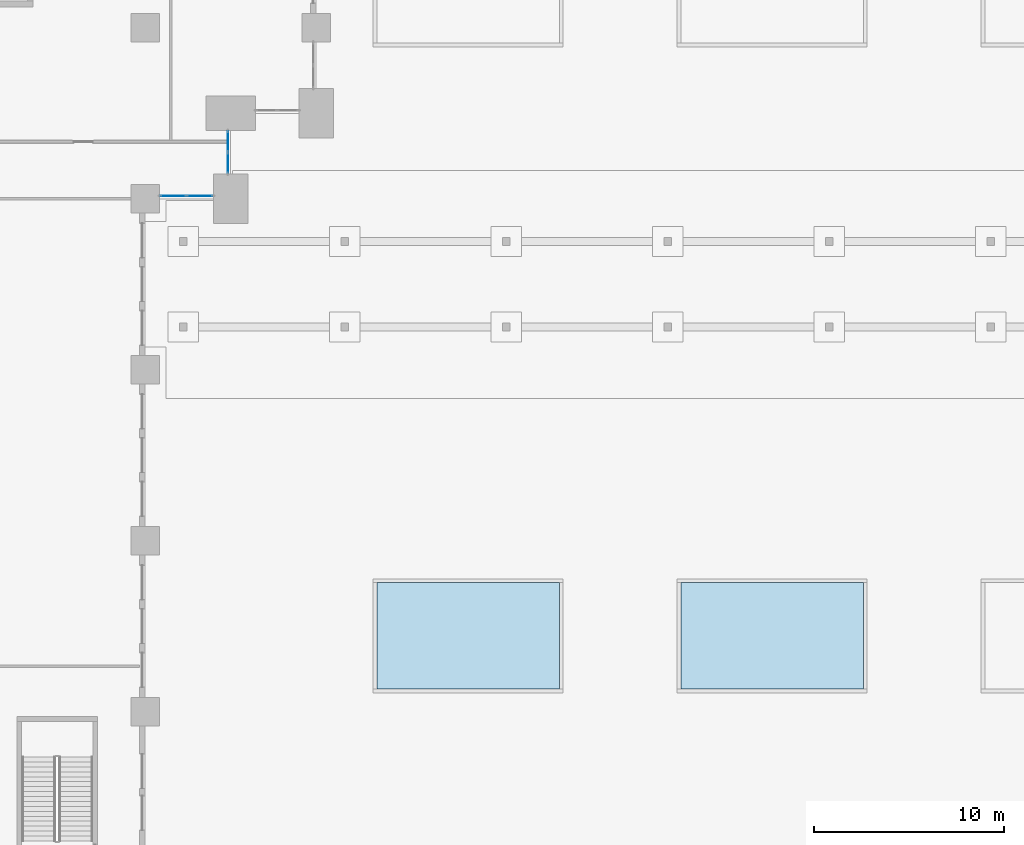
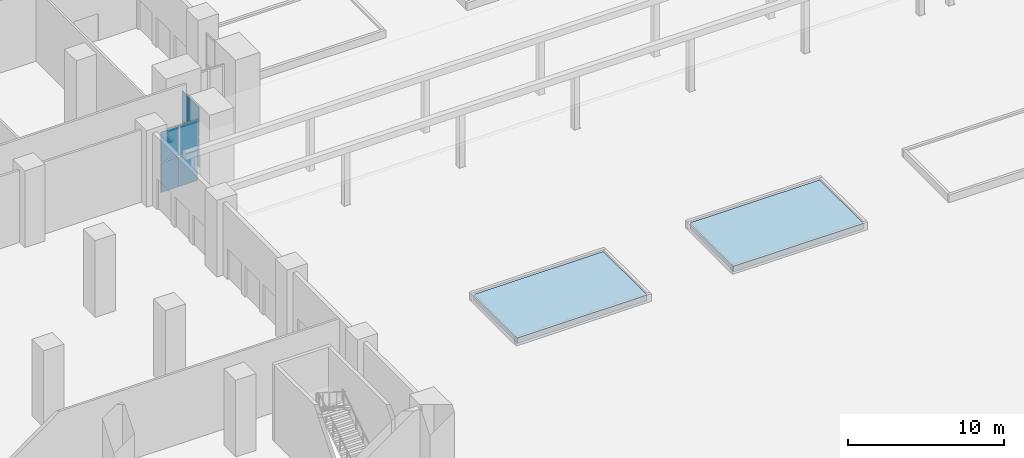
# One storey, part 9 of 47: 8 plates, 2 slabs, 2 elements without a shape of their own.
"""IFC4 building model written with IfcOpenShell, lengths in metres."""

from ifc_helpers import new_model, si_unit, direction, frame, origin, origin_2d, place, context, subcontext, project, spatial, polyline, rectangle, outline, extrude, material, layer, layer_set, type_object, element, aggregate, save


model = new_model("IFC4")

# Units and contexts
model_context = context("Model", 3, precision=1e-05, world=origin(), true_north=direction((0.0, 1.0)))
body_context = subcontext(model_context, "Body", "Model", "MODEL_VIEW")
ifc_project = project(units=[si_unit("LENGTHUNIT", "METRE"), si_unit("AREAUNIT", "SQUARE_METRE"), si_unit("VOLUMEUNIT", "CUBIC_METRE"), si_unit("PLANEANGLEUNIT", "RADIAN"), si_unit("MASSUNIT", "GRAM", prefix="KILO")], contexts=[model_context])

# Site, building, storey
site_placement = place(None, origin())
site = spatial("IfcSite", under=ifc_project, at=site_placement, CompositionType="ELEMENT")
building_placement = place(site_placement, origin())
building = spatial("IfcBuilding", under=site, at=building_placement, Name="Hunhe Ridgeline Campus", CompositionType="ELEMENT")
storey_placement = place(building_placement, origin())
storey = spatial("IfcBuildingStorey", under=building, at=storey_placement, Name="L00", CompositionType="ELEMENT", Elevation=0.0)

# Curtain wall, plates
ifc_material_1 = material(Name="Aluminium and glass", Category="aluminium")
curtain_wall_type = type_object("IfcCurtainWallType", Name="Podium curtain wall CW-2", PredefinedType="NOTDEFINED", material=ifc_material_1)
curtain_wall_1_placement = place(storey_placement, origin())
curtain_wall_1 = element("IfcCurtainWall", 1, at=curtain_wall_1_placement, inside=storey, type_object=curtain_wall_type, Name="L00 podium curtain wall 1", PredefinedType="NOTDEFINED")
ifc_material_2 = material(Name="Clear glass", Category="glass")
ifc_layer_1 = layer(ifc_material_2, 0.028076171875)
ifc_layer_set_1 = layer_set([ifc_layer_1], Name="CW-2 clear glass panel 28")
plate_type = type_object("IfcPlateType", Name="CW-2 clear glass panel 28", PredefinedType="CURTAIN_PANEL", material=ifc_layer_set_1)
plate_1_placement = place(storey_placement, frame((91.4775390625, 54.14990234375, 0.06005859375), z_axis=(0.0, 0.0, 1.0), x_axis=(1.0, 0.0, 0.0)))
plate_1 = element("IfcPlate", 2, at=plate_1_placement, type_object=plate_type, Name="CW2 panel 1.1", PredefinedType="CURTAIN_PANEL", context=body_context, shape_type="SweptSolid", body=[
    extrude(rectangle(XDim=1.3349609375, YDim=0.028076171875, at=origin_2d()), origin(), (0.0, 0.0, 1.0), 2.3349609375),
])
plate_2_placement = place(storey_placement, frame((91.4775390625, 54.14990234375, 2.455078125), z_axis=(0.0, 0.0, 1.0), x_axis=(1.0, 0.0, 0.0)))
plate_2 = element("IfcPlate", 3, at=plate_2_placement, type_object=plate_type, Name="CW2 panel 1.2", PredefinedType="CURTAIN_PANEL", context=body_context, shape_type="SweptSolid", body=[
    extrude(rectangle(XDim=1.3349609375, YDim=0.028076171875, at=origin_2d()), origin(), (0.0, 0.0, 1.0), 2.3349609375),
])
plate_3_placement = place(storey_placement, frame((92.87255859375, 54.14990234375, 0.06005859375), z_axis=(0.0, 0.0, 1.0), x_axis=(1.0, 0.0, 0.0)))
plate_3 = element("IfcPlate", 4, at=plate_3_placement, type_object=plate_type, Name="CW2 panel 2.1", PredefinedType="CURTAIN_PANEL", context=body_context, shape_type="SweptSolid", body=[
    extrude(rectangle(XDim=1.3349609375, YDim=0.028076171875, at=origin_2d()), origin(), (0.0, 0.0, 1.0), 2.3349609375),
])
plate_4_placement = place(storey_placement, frame((92.87255859375, 54.14990234375, 2.455078125), z_axis=(0.0, 0.0, 1.0), x_axis=(1.0, 0.0, 0.0)))
plate_4 = element("IfcPlate", 5, at=plate_4_placement, type_object=plate_type, Name="CW2 panel 2.2", PredefinedType="CURTAIN_PANEL", context=body_context, shape_type="SweptSolid", body=[
    extrude(rectangle(XDim=1.3349609375, YDim=0.028076171875, at=origin_2d()), origin(), (0.0, 0.0, 1.0), 2.3349609375),
])
aggregate(curtain_wall_1, [plate_1, plate_2, plate_3, plate_4])

curtain_wall_2_placement = place(storey_placement, origin())
curtain_wall_2 = element("IfcCurtainWall", 6, at=curtain_wall_2_placement, inside=storey, type_object=curtain_wall_type, Name="L00 podium curtain wall 2", PredefinedType="NOTDEFINED")
plate_5_placement = place(storey_placement, frame((94.35009765625, 55.889892578125, 0.06005859375), z_axis=(0.0, 0.0, 1.0), x_axis=(0.0, 1.0, 0.0)))
plate_5 = element("IfcPlate", 7, at=plate_5_placement, type_object=plate_type, Name="CW2 panel 1.1", PredefinedType="CURTAIN_PANEL", context=body_context, shape_type="SweptSolid", body=[
    extrude(rectangle(XDim=1.06005859375, YDim=0.028076171875, at=origin_2d()), origin(), (0.0, 0.0, 1.0), 2.3349609375),
])
plate_6_placement = place(storey_placement, frame((94.35009765625, 55.889892578125, 2.455078125), z_axis=(0.0, 0.0, 1.0), x_axis=(0.0, 1.0, 0.0)))
plate_6 = element("IfcPlate", 8, at=plate_6_placement, type_object=plate_type, Name="CW2 panel 1.2", PredefinedType="CURTAIN_PANEL", context=body_context, shape_type="SweptSolid", body=[
    extrude(rectangle(XDim=1.06005859375, YDim=0.028076171875, at=origin_2d()), origin(), (0.0, 0.0, 1.0), 2.3349609375),
])
plate_7_placement = place(storey_placement, frame((94.35009765625, 57.010009765625, 0.06005859375), z_axis=(0.0, 0.0, 1.0), x_axis=(0.0, 1.0, 0.0)))
plate_7 = element("IfcPlate", 9, at=plate_7_placement, type_object=plate_type, Name="CW2 panel 2.1", PredefinedType="CURTAIN_PANEL", context=body_context, shape_type="SweptSolid", body=[
    extrude(rectangle(XDim=1.06005859375, YDim=0.028076171875, at=origin_2d()), origin(), (0.0, 0.0, 1.0), 2.3349609375),
])
plate_8_placement = place(storey_placement, frame((94.35009765625, 57.010009765625, 2.455078125), z_axis=(0.0, 0.0, 1.0), x_axis=(0.0, 1.0, 0.0)))
plate_8 = element("IfcPlate", 10, at=plate_8_placement, type_object=plate_type, Name="CW2 panel 2.2", PredefinedType="CURTAIN_PANEL", context=body_context, shape_type="SweptSolid", body=[
    extrude(rectangle(XDim=1.06005859375, YDim=0.028076171875, at=origin_2d()), origin(), (0.0, 0.0, 1.0), 2.3349609375),
])
aggregate(curtain_wall_2, [plate_5, plate_6, plate_7, plate_8])

# Slabs
ifc_material_3 = material(Name="Planting soil")
ifc_layer_2 = layer(ifc_material_3, 0.449951171875)
ifc_layer_set_2 = layer_set([ifc_layer_2], Name="Planting bed soil 450")
slab_type = type_object("IfcSlabType", Name="Planting bed soil 450", PredefinedType="USERDEFINED", material=ifc_layer_set_2)
slab_1_placement = place(storey_placement, origin())
element("IfcSlab", 11, at=slab_1_placement, inside=storey, type_object=slab_type, Name="Garden planter 1", ObjectType="PLANTER", PredefinedType="USERDEFINED", context=body_context, shape_type="SweptSolid", body=[
    extrude(outline(polyline([(111.800048828125, 28.199951171875), (111.800048828125, 33.800048828125), (102.199951171875, 33.800048828125), (102.199951171875, 28.199951171875), (111.800048828125, 28.199951171875)])), origin(), (0.0, 0.0, 1.0), 0.449951171875),
])
slab_2_placement = place(storey_placement, origin())
element("IfcSlab", 12, at=slab_2_placement, inside=storey, type_object=slab_type, Name="Garden planter 2", ObjectType="PLANTER", PredefinedType="USERDEFINED", context=body_context, shape_type="SweptSolid", body=[
    extrude(outline(polyline([(127.800048828125, 28.199951171875), (127.800048828125, 33.800048828125), (118.199951171875, 33.800048828125), (118.199951171875, 28.199951171875), (127.800048828125, 28.199951171875)])), origin(), (0.0, 0.0, 1.0), 0.449951171875),
])

save(model, "model.ifc")
